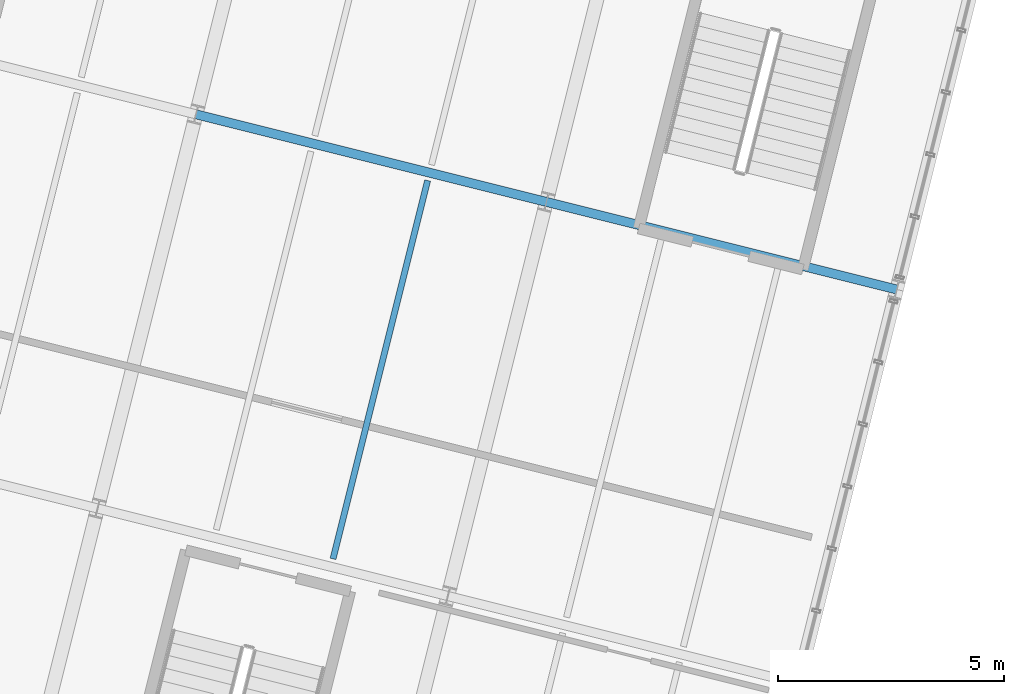
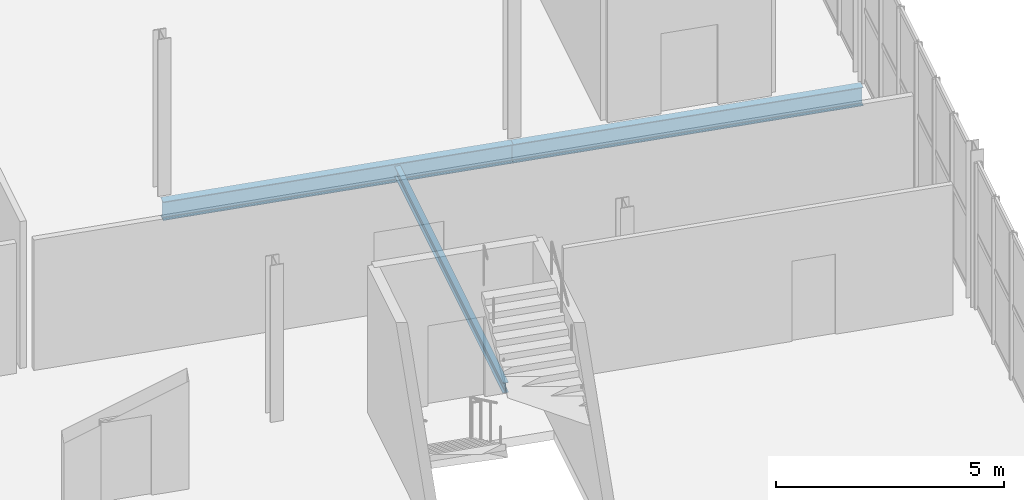
# One storey, part 36 of 61: 3 beams.
"""IFC4 building model written with IfcOpenShell, lengths in metres."""

import ifcopenshell
import ifcopenshell.guid

model = None  # the IFC model being written
_history = None  # IfcOwnerHistory: only IFC2X3 demands one
_inside = {}  # id of a spatial element -> (the spatial element, [elements in it])
_under = {}  # id of a project, library or spatial element -> (it, [spatial elements below it])
_declared = {}  # id of a project -> (the project, [libraries it declares])
_typed = {}  # id of a type object -> (the type object, [elements of that type])
_made_of = {}  # id of a material, layer set ... -> (it, [elements and type objects made of it])


def new_model(schema):
    """Start an empty IFC model of exactly this schema.

    Asked for "IFC4X3", IfcOpenShell would pick the latest addendum, in which some entities
    have other attributes; the version numbers below select the first issue.
    IFC2X3 requires an IfcOwnerHistory on every rooted entity: one is made here for all.
    """
    global model, _history
    if schema == "IFC4X3":
        model = ifcopenshell.file(schema_version=(4, 3, 0, 0))
    else:
        model = ifcopenshell.file(schema=schema)
    _inside.clear()
    _under.clear()
    _declared.clear()
    _typed.clear()
    _made_of.clear()
    _history = None
    if model.schema == "IFC2X3":
        org = make("IfcOrganization", Name="unknown")
        user = make(
            "IfcPersonAndOrganization",
            ThePerson=make("IfcPerson", FamilyName="unknown"),
            TheOrganization=org,
        )
        app = make(
            "IfcApplication",
            ApplicationDeveloper=org,
            Version="unknown",
            ApplicationFullName="unknown",
            ApplicationIdentifier="unknown",
        )
        _history = make(
            "IfcOwnerHistory",
            OwningUser=user,
            OwningApplication=app,
            ChangeAction="ADDED",
            CreationDate=0,
        )
    return model


def make(cls, **values):
    """One entity of the class cls with the attributes given. An attribute that is None is left unset."""
    return model.create_entity(
        cls, **{name: value for name, value in values.items() if value is not None}
    )


def rooted(cls, **values):
    """An entity with a GlobalId (a new one), such as an element, a storey or a relation."""
    return make(cls, GlobalId=ifcopenshell.guid.new(), OwnerHistory=_history, **values)


def si_unit(unit_type, name, prefix=None):
    """IfcSIUnit, for example si_unit("LENGTHUNIT", "METRE", prefix="MILLI")."""
    return make("IfcSIUnit", UnitType=unit_type, Prefix=prefix, Name=name)


def derived_unit(unit_type, elements):
    """IfcDerivedUnit: a product of units, each with its exponent."""
    return make(
        "IfcDerivedUnit",
        Elements=[
            make("IfcDerivedUnitElement", Unit=unit, Exponent=power)
            for unit, power in elements
        ],
        UnitType=unit_type,
    )


def assignment(units):
    """IfcUnitAssignment: the units of a project."""
    return None if units is None else make("IfcUnitAssignment", Units=units)


def point(xyz):
    """IfcCartesianPoint."""
    return None if xyz is None else make("IfcCartesianPoint", Coordinates=xyz)


def direction(xyz):
    """IfcDirection."""
    return None if xyz is None else make("IfcDirection", DirectionRatios=xyz)


def frame(location, z_axis=None, x_axis=None):
    """IfcAxis2Placement3D, a coordinate frame: its origin and axes. An axis left out is left unset."""
    return make(
        "IfcAxis2Placement3D",
        Location=point(location),
        Axis=direction(z_axis),
        RefDirection=direction(x_axis),
    )


def frame_2d(location, x_axis=None):
    """IfcAxis2Placement2D, a coordinate frame in the plane: its origin and x axis."""
    return make(
        "IfcAxis2Placement2D", Location=point(location), RefDirection=direction(x_axis)
    )


def origin():
    """The frame at (0, 0, 0) with its axes left unset."""
    return frame((0.0, 0.0, 0.0))


def origin_2d():
    """The frame at (0, 0) in the plane with its x axis left unset."""
    return frame_2d((0.0, 0.0))


def place(relative_to, where):
    """IfcLocalPlacement: puts the frame where relative to a parent placement (None: the world)."""
    return make(
        "IfcLocalPlacement", PlacementRelTo=relative_to, RelativePlacement=where
    )


def context(
    kind, dimensions, precision=None, world=None, true_north=None, identifier=None
):
    """IfcGeometricRepresentationContext, for example the 3D "Model" context."""
    return make(
        "IfcGeometricRepresentationContext",
        ContextIdentifier=identifier,
        ContextType=kind,
        CoordinateSpaceDimension=dimensions,
        Precision=precision,
        WorldCoordinateSystem=world,
        TrueNorth=true_north,
    )


def subcontext(parent, identifier, kind, view, scale=None):
    """IfcGeometricRepresentationSubContext, for example "Body" below "Model"."""
    return make(
        "IfcGeometricRepresentationSubContext",
        ContextIdentifier=identifier,
        ContextType=kind,
        ParentContext=parent,
        TargetScale=scale,
        TargetView=view,
    )


def project(units=None, contexts=None):
    """IfcProject with its units and contexts."""
    return rooted(
        "IfcProject",
        Name="project",
        RepresentationContexts=contexts,
        UnitsInContext=assignment(units),
    )


def spatial(cls, under=None, at=None, **own):
    """A site, building, storey or space (cls), placed at a placement, below another one or the project."""
    s = rooted(cls, ObjectPlacement=at, **own)
    if under is not None:
        _under.setdefault(under.id(), (under, []))[1].append(s)
    return s


def profile(cls, at=None, kind="AREA", **sizes):
    """A parametric profile (cls). Its sizes go by their IFC names, for example OverallWidth=200.0."""
    return make(cls, ProfileType=kind, Position=at, **sizes)


def i_section(**sizes):
    """IfcIShapeProfileDef."""
    return profile("IfcIShapeProfileDef", **sizes)


def extrude(swept, where, along, depth):
    """IfcExtrudedAreaSolid: the profile swept, set in the frame where, extruded along a direction by depth."""
    return make(
        "IfcExtrudedAreaSolid",
        SweptArea=swept,
        Position=where,
        ExtrudedDirection=direction(along),
        Depth=depth,
    )


def shape(context_of_items, identifier, shape_type, items):
    """IfcShapeRepresentation: the items that make up one representation, for example the "Body"."""
    return make(
        "IfcShapeRepresentation",
        ContextOfItems=context_of_items,
        RepresentationIdentifier=identifier,
        RepresentationType=shape_type,
        Items=items,
    )


def material(Name=None, Category=None):
    """IfcMaterial."""
    return make("IfcMaterial", Name=Name, Category=Category)


def material_profile(
    of_material, cross_section, Name=None, Category=None, Priority=None
):
    """IfcMaterialProfile: a cross section and its material."""
    return make(
        "IfcMaterialProfile",
        Name=Name,
        Material=of_material,
        Profile=cross_section,
        Priority=Priority,
        Category=Category,
    )


def profile_set(profiles, Name=None, composite=None):
    """IfcMaterialProfileSet."""
    return make(
        "IfcMaterialProfileSet",
        Name=Name,
        MaterialProfiles=profiles,
        CompositeProfile=composite,
    )


def made_of(thing, what):
    """Note that an element or type object is made of a material, layer set ...; save() writes the relation."""
    if what is not None:
        _made_of.setdefault(what.id(), (what, []))[1].append(thing)
    return thing


def type_object(cls, material=None, **own):
    """A type object (cls), such as IfcWallType, which elements share."""
    return made_of(rooted(cls, **own), material)


def element(
    cls,
    number,
    at=None,
    inside=None,
    cuts=None,
    type_object=None,
    material=None,
    context=None,
    identifier="Body",
    shape_type=None,
    held_by="IfcProductDefinitionShape",
    body=None,
    shapes=None,
    **own,
):
    """One element of the class cls, such as IfcWall. Its Tag is "e" and its number.

    at: its placement. inside: the storey or other place that contains it. cuts: it is an
    opening in that element (IfcRelVoidsElement). A single representation is given by context,
    identifier, shape_type and body (its items); several are given by shapes. held_by: the class
    of the entity that holds the representations. save() writes the other relations.
    """
    e = rooted(cls, Tag="e%d" % number, ObjectPlacement=at, **own)
    if body is not None:
        shapes = [shape(context, identifier, shape_type, body)]
    if shapes is not None:
        e.Representation = make(held_by, Representations=shapes)
    if inside is not None:
        _inside.setdefault(inside.id(), (inside, []))[1].append(e)
    if cuts is not None:
        rooted(
            "IfcRelVoidsElement", RelatingBuildingElement=cuts, RelatedOpeningElement=e
        )
    if type_object is not None:
        _typed.setdefault(type_object.id(), (type_object, []))[1].append(e)
    return made_of(e, material)


def aggregate(whole, parts):
    """IfcRelAggregates: a whole, such as a stair, and the parts it consists of."""
    return rooted("IfcRelAggregates", RelatingObject=whole, RelatedObjects=parts)


def save(model, path):
    """Write the relations noted so far, then the file.

    IfcRelAggregates (storeys below a building ...), IfcRelContainedInSpatialStructure (elements
    in a storey), IfcRelDefinesByType, IfcRelAssociatesMaterial and IfcRelDeclares: one each for
    every whole, place, type object, material and project.
    """
    for whole, parts in _under.values():
        aggregate(whole, parts)
    for where, things in _inside.values():
        rooted(
            "IfcRelContainedInSpatialStructure",
            RelatedElements=things,
            RelatingStructure=where,
        )
    for kind, things in _typed.values():
        rooted("IfcRelDefinesByType", RelatedObjects=things, RelatingType=kind)
    for what, things in _made_of.values():
        rooted("IfcRelAssociatesMaterial", RelatedObjects=things, RelatingMaterial=what)
    for by, libraries in _declared.values():
        rooted("IfcRelDeclares", RelatingContext=by, RelatedDefinitions=libraries)
    model.write(path)


model = new_model("IFC4")

# Units and contexts
model_context = context("Model", 3, precision=1e-05, world=origin(), true_north=direction((0.0, 1.0)))
body_context = subcontext(model_context, "Body", "Model", "MODEL_VIEW")
ifc_project = project(units=[si_unit("LENGTHUNIT", "METRE"), si_unit("AREAUNIT", "SQUARE_METRE"), si_unit("VOLUMEUNIT", "CUBIC_METRE"), si_unit("PLANEANGLEUNIT", "RADIAN"), si_unit("MASSUNIT", "GRAM", prefix="KILO"), si_unit("THERMODYNAMICTEMPERATUREUNIT", "KELVIN"), si_unit("TIMEUNIT", "SECOND"), derived_unit("THERMALTRANSMITTANCEUNIT", [(si_unit("MASSUNIT", "GRAM", prefix="KILO"), 1), (si_unit("THERMODYNAMICTEMPERATUREUNIT", "KELVIN"), -1), (si_unit("TIMEUNIT", "SECOND"), -3)])], contexts=[model_context])

# Site, building, storey
site_placement = place(None, origin())
site = spatial("IfcSite", under=ifc_project, at=site_placement, CompositionType="ELEMENT")
building_placement = place(site_placement, origin())
building = spatial("IfcBuilding", under=site, at=building_placement, Name="Cambertide Market Hall", CompositionType="ELEMENT")
storey_placement = place(building_placement, frame((0.0, 0.0, 9.89990234375)))
storey = spatial("IfcBuildingStorey", under=building, at=storey_placement, Name="L03", CompositionType="ELEMENT", Elevation=9.89990234375)

# Beams
ifc_material_1 = material(Name="Steel S355", Category="steel")
ifc_material_profile_1 = material_profile(ifc_material_1, i_section(OverallWidth=0.199951171875, OverallDepth=0.5, WebThickness=0.01025390625, FlangeThickness=0.01611328125, FilletRadius=0.02099609375, at=origin_2d()), Name="IPE 500")
ifc_profile_set_1 = profile_set([ifc_material_profile_1], Name="Steel S355")
beam_type_1 = type_object("IfcBeamType", Name="Steel Girder IPE 500", PredefinedType="BEAM", material=ifc_profile_set_1)
beam_1_placement = place(storey_placement, frame((158.932373046875, 105.82080078125, -0.494873046875), z_axis=(0.970146090314, -0.242521263911, 0.0), x_axis=(0.242521263911, 0.970146090314, 0.0)))
element("IfcBeam", 1, at=beam_1_placement, inside=storey, type_object=beam_type_1, Name="Level 3 Beam BM-V4U-L03-7-3", PredefinedType="BEAM", context=body_context, shape_type="SweptSolid", body=[
    extrude(i_section(OverallWidth=0.199951171875, OverallDepth=0.5, WebThickness=0.01025390625, FlangeThickness=0.01611328125, FilletRadius=0.02099609375, at=origin_2d()), origin(), (0.0, 0.0, 1.0), 8.0),
])
beam_2_placement = place(storey_placement, frame((166.693603515625, 103.880615234375, -0.494873046875), z_axis=(0.970138909791, -0.242549986002, 0.0), x_axis=(0.242549986002, 0.970138909791, 0.0)))
element("IfcBeam", 2, at=beam_2_placement, inside=storey, type_object=beam_type_1, Name="Level 3 Beam BM-V4U-L03-8-3", PredefinedType="BEAM", context=body_context, shape_type="SweptSolid", body=[
    extrude(i_section(OverallWidth=0.199951171875, OverallDepth=0.5, WebThickness=0.01025390625, FlangeThickness=0.01611328125, FilletRadius=0.02099609375, at=origin_2d()), origin(), (0.0, 0.0, 1.0), 8.000244140625),
])
ifc_material_2 = material(Name="Steel S275", Category="steel")
ifc_material_profile_2 = material_profile(ifc_material_2, i_section(OverallWidth=0.135009765625, OverallDepth=0.27001953125, WebThickness=0.006591796875, FlangeThickness=0.01025390625, FilletRadius=0.014892578125, at=origin_2d()), Name="IPE 270")
ifc_profile_set_2 = profile_set([ifc_material_profile_2], Name="Steel S275")
beam_type_2 = type_object("IfcBeamType", Name="Steel Secondary Joist IPE 270", PredefinedType="JOIST", material=ifc_profile_set_2)
beam_3_placement = place(storey_placement, frame((161.967529296875, 95.970703125, -0.3798828125), z_axis=(0.242528976348, 0.970144162293, 0.0), x_axis=(-0.970144162293, 0.242528976348, 0.0)))
element("IfcBeam", 3, at=beam_3_placement, inside=storey, type_object=beam_type_2, Name="Level 3 Joist JS-V4-L03-7-2-2", PredefinedType="JOIST", context=body_context, shape_type="SweptSolid", body=[
    extrude(i_section(OverallWidth=0.135009765625, OverallDepth=0.27001953125, WebThickness=0.006591796875, FlangeThickness=0.01025390625, FilletRadius=0.014892578125, at=origin_2d()), origin(), (0.0, 0.0, 1.0), 8.64013671875),
])

save(model, "model.ifc")
